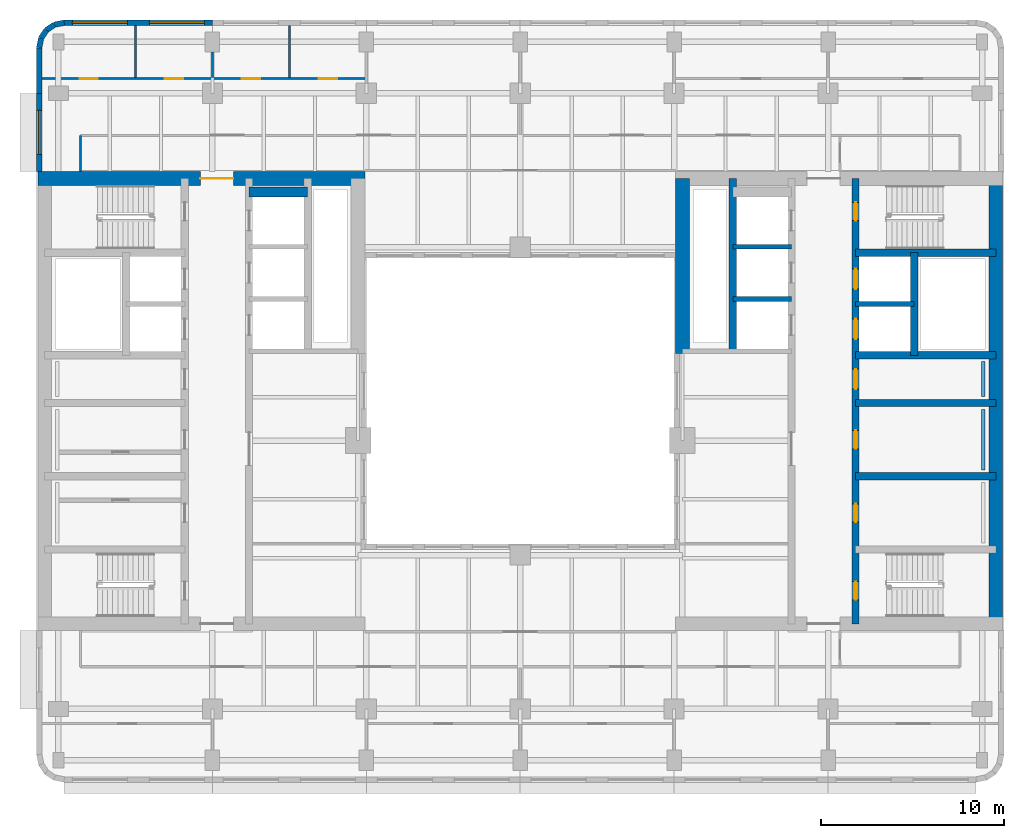
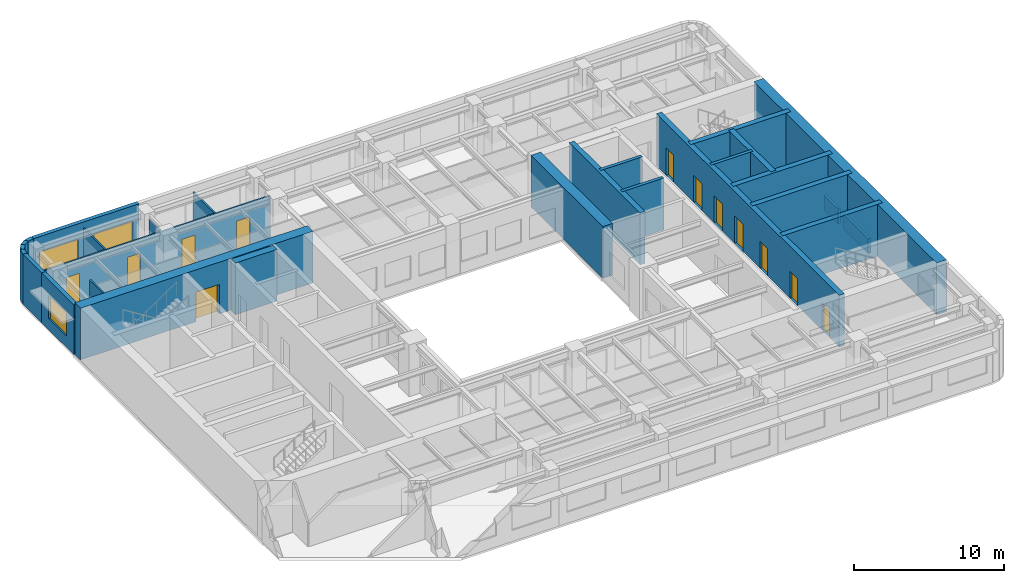
# One storey, part 6 of 11: 28 walls, 12 doors, 3 windows, 15 openings.
"""IFC4 building model written with IfcOpenShell, lengths in metres."""

from ifc_helpers import new_model, si_unit, direction, frame, frame_2d, origin, place, context, subcontext, project, spatial, rectangle, extrude, material, layer, layer_set, type_object, element, fill, save


model = new_model("IFC4")

# Units and contexts
model_context = context("Model", 3, precision=1e-05, world=origin(), true_north=direction((0.0, 1.0)))
body_context = subcontext(model_context, "Body", "Model", "MODEL_VIEW")
ifc_project = project(units=[si_unit("LENGTHUNIT", "METRE"), si_unit("AREAUNIT", "SQUARE_METRE"), si_unit("VOLUMEUNIT", "CUBIC_METRE"), si_unit("PLANEANGLEUNIT", "RADIAN"), si_unit("MASSUNIT", "GRAM", prefix="KILO")], contexts=[model_context])

# Site, building, storey
site_placement = place(None, origin())
site = spatial("IfcSite", under=ifc_project, at=site_placement, CompositionType="ELEMENT")
building_placement = place(site_placement, origin())
building = spatial("IfcBuilding", under=site, at=building_placement, Name="Claustro Exchange Tower", CompositionType="ELEMENT")
storey_placement = place(building_placement, frame((0.0, 0.0, 190.199951171875)))
storey = spatial("IfcBuildingStorey", under=building, at=storey_placement, Name="L43", CompositionType="ELEMENT", Elevation=190.199951171875)

# Wall, openings, doors
ifc_material_1 = material(Name="Laminated glass in aluminium frame", Category="aluminium")
ifc_layer_1 = layer(ifc_material_1, 0.1201171875)
ifc_layer_set_1 = layer_set([ifc_layer_1], Name="Laminated glass in aluminium frame")
wall_type_1 = type_object("IfcWallType", Name="P2 120 glazed partition", PredefinedType="PARTITIONING", material=ifc_layer_set_1)
wall_1_placement = place(storey_placement, frame((-0.902099609375, 42.800048828125, 0.0), z_axis=(0.0, 0.0, 1.0), x_axis=(1.0, 0.0, 0.0)))
wall_1 = element("IfcWall", 1, at=wall_1_placement, inside=storey, type_object=wall_type_1, Name="Partition P2 L43", PredefinedType="PARTITIONING", context=body_context, shape_type="SweptSolid", body=[
    extrude(rectangle(XDim=17.7021484375, YDim=0.1201171875, at=frame_2d((8.85107421875, 0.0))), origin(), (0.0, 0.0, 1.0), 3.56005859375),
])
opening_1_placement = place(wall_1_placement, frame((2.052001953125, 0.0, 0.0)))
opening_1 = element("IfcOpeningElement", 2, at=opening_1_placement, cuts=wall_1, Name="Opening D7", PredefinedType="OPENING", context=body_context, shape_type="SweptSolid", body=[
    extrude(rectangle(XDim=1.0, YDim=2.39990234375, at=frame_2d((0.5, 1.199951171875))), frame((0.0, 0.070068359375, 0.0), z_axis=(0.0, -1.0, 0.0), x_axis=(1.0, 0.0, 0.0)), (0.0, 0.0, 1.0), 0.14013671875),
])
opening_2_placement = place(wall_1_placement, frame((6.701904296875, 0.0, 0.0)))
opening_2 = element("IfcOpeningElement", 3, at=opening_2_placement, cuts=wall_1, Name="Opening D7", PredefinedType="OPENING", context=body_context, shape_type="SweptSolid", body=[
    extrude(rectangle(XDim=1.0, YDim=2.39990234375, at=frame_2d((0.5, 1.199951171875))), frame((0.0, 0.070068359375, 0.0), z_axis=(0.0, -1.0, 0.0), x_axis=(1.0, 0.0, 0.0)), (0.0, 0.0, 1.0), 0.14013671875),
])
opening_3_placement = place(wall_1_placement, frame((10.902099609375, 0.0, 0.0)))
opening_3 = element("IfcOpeningElement", 4, at=opening_3_placement, cuts=wall_1, Name="Opening D7", PredefinedType="OPENING", context=body_context, shape_type="SweptSolid", body=[
    extrude(rectangle(XDim=1.0, YDim=2.39990234375, at=frame_2d((0.5, 1.199951171875))), frame((0.0, 0.070068359375, 0.0), z_axis=(0.0, -1.0, 0.0), x_axis=(1.0, 0.0, 0.0)), (0.0, 0.0, 1.0), 0.14013671875),
])
opening_4_placement = place(wall_1_placement, frame((15.10205078125, 0.0, 0.0)))
opening_4 = element("IfcOpeningElement", 5, at=opening_4_placement, cuts=wall_1, Name="Opening D7", PredefinedType="OPENING", context=body_context, shape_type="SweptSolid", body=[
    extrude(rectangle(XDim=1.0, YDim=2.39990234375, at=frame_2d((0.5, 1.199951171875))), frame((0.0, 0.070068359375, 0.0), z_axis=(0.0, -1.0, 0.0), x_axis=(1.0, 0.0, 0.0)), (0.0, 0.0, 1.0), 0.14013671875),
])
ifc_material_2 = material(Name="Glass door in aluminium frame", Category="aluminium")
door_type_1 = type_object("IfcDoorType", Name="D7 1000 x 2400 glazed door", OperationType="SINGLE_SWING_LEFT", PredefinedType="DOOR", material=ifc_material_2)
door_1_placement = place(opening_1_placement, origin())
door_1 = element("IfcDoor", 6, at=door_1_placement, inside=storey, type_object=door_type_1, Name="Door D7 L43", OperationType="SINGLE_SWING_RIGHT", OverallHeight=2.39990234375, OverallWidth=1.0, PredefinedType="DOOR", context=body_context, shape_type="SweptSolid", body=[
    extrude(rectangle(XDim=1.0, YDim=2.39990234375, at=frame_2d((0.5, 1.199951171875))), frame((0.0, 0.02490234375, 0.0), z_axis=(0.0, -1.0, 0.0), x_axis=(1.0, 0.0, 0.0)), (0.0, 0.0, 1.0), 0.050048828125),
])
fill(opening_1, door_1)
door_2_placement = place(opening_2_placement, origin())
door_2 = element("IfcDoor", 7, at=door_2_placement, inside=storey, type_object=door_type_1, Name="Door D7 L43", OperationType="SINGLE_SWING_LEFT", OverallHeight=2.39990234375, OverallWidth=1.0, PredefinedType="DOOR", context=body_context, shape_type="SweptSolid", body=[
    extrude(rectangle(XDim=1.0, YDim=2.39990234375, at=frame_2d((0.5, 1.199951171875))), frame((0.0, 0.02490234375, 0.0), z_axis=(0.0, -1.0, 0.0), x_axis=(1.0, 0.0, 0.0)), (0.0, 0.0, 1.0), 0.050048828125),
])
fill(opening_2, door_2)
door_3_placement = place(opening_3_placement, origin())
door_3 = element("IfcDoor", 8, at=door_3_placement, inside=storey, type_object=door_type_1, Name="Door D7 L43", OperationType="SINGLE_SWING_LEFT", OverallHeight=2.39990234375, OverallWidth=1.0, PredefinedType="DOOR", context=body_context, shape_type="SweptSolid", body=[
    extrude(rectangle(XDim=1.0, YDim=2.39990234375, at=frame_2d((0.5, 1.199951171875))), frame((0.0, 0.02490234375, 0.0), z_axis=(0.0, -1.0, 0.0), x_axis=(1.0, 0.0, 0.0)), (0.0, 0.0, 1.0), 0.050048828125),
])
fill(opening_3, door_3)
door_4_placement = place(opening_4_placement, origin())
door_4 = element("IfcDoor", 9, at=door_4_placement, inside=storey, type_object=door_type_1, Name="Door D7 L43", OperationType="SINGLE_SWING_LEFT", OverallHeight=2.39990234375, OverallWidth=1.0, PredefinedType="DOOR", context=body_context, shape_type="SweptSolid", body=[
    extrude(rectangle(XDim=1.0, YDim=2.39990234375, at=frame_2d((0.5, 1.199951171875))), frame((0.0, 0.02490234375, 0.0), z_axis=(0.0, -1.0, 0.0), x_axis=(1.0, 0.0, 0.0)), (0.0, 0.0, 1.0), 0.050048828125),
])
fill(opening_4, door_4)

# Walls
wall_2_placement = place(storey_placement, frame((4.199951171875, 42.85791015625, 0.0), z_axis=(0.0, 0.0, 1.0), x_axis=(0.0, 1.0, 0.0)))
element("IfcWall", 10, at=wall_2_placement, inside=storey, type_object=wall_type_1, Name="Partition P2 L43", PredefinedType="PARTITIONING", context=body_context, shape_type="SweptSolid", body=[
    extrude(rectangle(XDim=2.843994140625, YDim=0.1201171875, at=frame_2d((1.421875, 0.0))), origin(), (0.0, 0.0, 1.0), 3.56005859375),
])
wall_3_placement = place(storey_placement, frame((8.39990234375, 42.85791015625, 0.0), z_axis=(0.0, 0.0, 1.0), x_axis=(0.0, 1.0, 0.0)))
element("IfcWall", 11, at=wall_3_placement, inside=storey, type_object=wall_type_1, Name="Partition P2 L43", PredefinedType="PARTITIONING", context=body_context, shape_type="SweptSolid", body=[
    extrude(rectangle(XDim=1.39306640625, YDim=0.1201171875, at=frame_2d((0.696533203125, 0.0))), origin(), (0.0, 0.0, 1.0), 3.68994140625),
])
wall_4_placement = place(storey_placement, frame((12.60009765625, 42.85791015625, 0.0), z_axis=(0.0, 0.0, 1.0), x_axis=(0.0, 1.0, 0.0)))
element("IfcWall", 12, at=wall_4_placement, inside=storey, type_object=wall_type_1, Name="Partition P2 L43", PredefinedType="PARTITIONING", context=body_context, shape_type="SweptSolid", body=[
    extrude(rectangle(XDim=2.843994140625, YDim=0.1201171875, at=frame_2d((1.421875, 0.0))), origin(), (0.0, 0.0, 1.0), 3.56005859375),
])
wall_5_placement = place(storey_placement, frame((1.199951171875, 37.72412109375, 0.0), z_axis=(0.0, 0.0, 1.0), x_axis=(0.0, 1.0, 0.0)))
element("IfcWall", 13, at=wall_5_placement, inside=storey, type_object=wall_type_1, Name="Partition P2 L43", PredefinedType="PARTITIONING", context=body_context, shape_type="SweptSolid", body=[
    extrude(rectangle(XDim=1.975830078125, YDim=0.1201171875, at=frame_2d((0.98779296875, 0.0))), origin(), (0.0, 0.0, 1.0), 4.050048828125),
])

# Wall, opening, window
ifc_material_3 = material(Name="Concrete HA-40 (C40/50), precast, white cement, acid-etched", Category="concrete")
ifc_layer_2 = layer(ifc_material_3, 0.300048828125)
ifc_layer_set_2 = layer_set([ifc_layer_2], Name="Concrete HA-40 (C40/50), precast, white cement, acid-etched")
wall_type_2 = type_object("IfcWallType", Name="PC1 300 precast concrete pier panel", PredefinedType="SOLIDWALL", material=ifc_layer_set_2)
wall_6_placement = place(storey_placement, frame((-1.050048828125, 37.72509765625, 0.0), z_axis=(0.0, 0.0, 1.0), x_axis=(0.0, 1.0, 0.0)))
wall_6 = element("IfcWall", 14, at=wall_6_placement, inside=storey, type_object=wall_type_2, Name="Precast pier panel PC1 L43", PredefinedType="SOLIDWALL", context=body_context, shape_type="SweptSolid", body=[
    extrude(rectangle(XDim=4.27490234375, YDim=0.300048828125, at=frame_2d((2.137451171875, 0.0))), origin(), (0.0, 0.0, 1.0), 4.050048828125),
])
opening_5_placement = place(wall_6_placement, frame((0.9375, 0.0, 0.89990234375)))
opening_5 = element("IfcOpeningElement", 15, at=opening_5_placement, cuts=wall_6, Name="Opening W2", PredefinedType="OPENING", context=body_context, shape_type="SweptSolid", body=[
    extrude(rectangle(XDim=2.39990234375, YDim=1.89990234375, at=frame_2d((1.199951171875, 0.949951171875))), frame((0.0, 0.159912109375, 0.0), z_axis=(0.0, -1.0, 0.0), x_axis=(1.0, 0.0, 0.0)), (0.0, 0.0, 1.0), 0.320068359375),
])
ifc_material_4 = material(Name="Aluminium frame, clear double glazing", Category="aluminium")
window_type_1 = type_object("IfcWindowType", Name="W2 2400 x 1900 window", PartitioningType="SINGLE_PANEL", PredefinedType="WINDOW", material=ifc_material_4)
window_1_placement = place(opening_5_placement, origin())
window_1 = element("IfcWindow", 16, at=window_1_placement, inside=storey, type_object=window_type_1, Name="Window W2 L43", OverallHeight=1.89990234375, OverallWidth=2.39990234375, PartitioningType="SINGLE_PANEL", PredefinedType="WINDOW", context=body_context, shape_type="SweptSolid", body=[
    extrude(rectangle(XDim=2.39990234375, YDim=1.89990234375, at=frame_2d((1.199951171875, 0.949951171875))), frame((0.0, 0.030029296875, 0.0), z_axis=(0.0, -1.0, 0.0), x_axis=(1.0, 0.0, 0.0)), (0.0, 0.0, 1.0), 0.06005859375),
])
fill(opening_5, window_1)

# Walls
wall_7_placement = place(storey_placement, frame((-1.050048828125, 42.0, 0.0), z_axis=(0.0, 0.0, 1.0), x_axis=(0.0, 1.0, 0.0)))
element("IfcWall", 17, at=wall_7_placement, inside=storey, type_object=wall_type_2, Name="Precast pier panel PC1 L43", PredefinedType="SOLIDWALL", context=body_context, shape_type="SweptSolid", body=[
    extrude(rectangle(XDim=2.485107421875, YDim=0.300048828125, at=frame_2d((1.24267578125, 0.0))), origin(), (0.0, 0.0, 1.0), 4.050048828125),
])
wall_8_placement = place(storey_placement, frame((-1.050048828125, 44.485107421875, 0.0), z_axis=(0.0, 0.0, 1.0), x_axis=(0.195073962632, 0.980788534345, 0.0)))
element("IfcWall", 18, at=wall_8_placement, inside=storey, type_object=wall_type_2, Name="Precast pier panel PC1 L43", PredefinedType="SOLIDWALL", context=body_context, shape_type="SweptSolid", body=[
    extrude(rectangle(XDim=0.540771484375, YDim=0.300048828125, at=frame_2d((0.2705078125, 0.0))), origin(), (0.0, 0.0, 1.0), 4.050048828125),
])
wall_9_placement = place(storey_placement, frame((-0.944580078125, 45.015380859375, 0.0), z_axis=(0.0, 0.0, 1.0), x_axis=(0.55534295404, 0.831621430339, 0.0)))
element("IfcWall", 19, at=wall_9_placement, inside=storey, type_object=wall_type_2, Name="Precast pier panel PC1 L43", PredefinedType="SOLIDWALL", context=body_context, shape_type="SweptSolid", body=[
    extrude(rectangle(XDim=0.52587890625, YDim=0.300048828125, at=frame_2d((0.262939453125, 0.0))), origin(), (0.0, 0.0, 1.0), 4.050048828125),
])
wall_10_placement = place(storey_placement, frame((-0.652587890625, 45.45263671875, 0.0), z_axis=(0.0, 0.0, 1.0), x_axis=(0.831692711774, 0.555236195849, 0.0)))
element("IfcWall", 20, at=wall_10_placement, inside=storey, type_object=wall_type_2, Name="Precast pier panel PC1 L43", PredefinedType="SOLIDWALL", context=body_context, shape_type="SweptSolid", body=[
    extrude(rectangle(XDim=0.525390625, YDim=0.300048828125, at=frame_2d((0.2626953125, 0.0))), origin(), (0.0, 0.0, 1.0), 4.050048828125),
])
wall_11_placement = place(storey_placement, frame((-0.215576171875, 45.744384765625, 0.0), z_axis=(0.0, 0.0, 1.0), x_axis=(0.980702050465, 0.1955082817, 0.0)))
element("IfcWall", 21, at=wall_11_placement, inside=storey, type_object=wall_type_2, Name="Precast pier panel PC1 L43", PredefinedType="SOLIDWALL", context=body_context, shape_type="SweptSolid", body=[
    extrude(rectangle(XDim=0.540771484375, YDim=0.300048828125, at=frame_2d((0.2705078125, 0.0))), origin(), (0.0, 0.0, 1.0), 4.050048828125),
])

# Wall, openings, windows
wall_12_placement = place(storey_placement, frame((0.314697265625, 45.85009765625, 0.0), z_axis=(0.0, 0.0, 1.0), x_axis=(1.0, 0.0, 0.0)))
wall_12 = element("IfcWall", 22, at=wall_12_placement, inside=storey, type_object=wall_type_2, Name="Precast pier panel PC1 L43", PredefinedType="SOLIDWALL", context=body_context, shape_type="SweptSolid", body=[
    extrude(rectangle(XDim=8.085205078125, YDim=0.300048828125, at=frame_2d((4.04248046875, 0.0))), origin(), (0.0, 0.0, 1.0), 4.050048828125),
])
opening_6_placement = place(wall_12_placement, frame((0.442626953125, 0.0, 0.89990234375)))
opening_6 = element("IfcOpeningElement", 23, at=opening_6_placement, cuts=wall_12, Name="Opening W1", PredefinedType="OPENING", context=body_context, shape_type="SweptSolid", body=[
    extrude(rectangle(XDim=3.0, YDim=1.89990234375, at=frame_2d((1.5, 0.949951171875))), frame((0.0, 0.159912109375, 0.0), z_axis=(0.0, -1.0, 0.0), x_axis=(1.0, 0.0, 0.0)), (0.0, 0.0, 1.0), 0.320068359375),
])
opening_7_placement = place(wall_12_placement, frame((4.642578125, 0.0, 0.89990234375)))
opening_7 = element("IfcOpeningElement", 24, at=opening_7_placement, cuts=wall_12, Name="Opening W1", PredefinedType="OPENING", context=body_context, shape_type="SweptSolid", body=[
    extrude(rectangle(XDim=3.0, YDim=1.89990234375, at=frame_2d((1.5, 0.949951171875))), frame((0.0, 0.159912109375, 0.0), z_axis=(0.0, -1.0, 0.0), x_axis=(1.0, 0.0, 0.0)), (0.0, 0.0, 1.0), 0.320068359375),
])
ifc_material_5 = material(Name="Aluminium frame, clear double glazing", Category="aluminium")
window_type_2 = type_object("IfcWindowType", Name="W1 3000 x 1900 window", PartitioningType="SINGLE_PANEL", PredefinedType="WINDOW", material=ifc_material_5)
window_2_placement = place(opening_6_placement, origin())
window_2 = element("IfcWindow", 25, at=window_2_placement, inside=storey, type_object=window_type_2, Name="Window W1 L43", OverallHeight=1.89990234375, OverallWidth=3.0, PartitioningType="SINGLE_PANEL", PredefinedType="WINDOW", context=body_context, shape_type="SweptSolid", body=[
    extrude(rectangle(XDim=3.0, YDim=1.89990234375, at=frame_2d((1.5, 0.949951171875))), frame((0.0, 0.030029296875, 0.0), z_axis=(0.0, -1.0, 0.0), x_axis=(1.0, 0.0, 0.0)), (0.0, 0.0, 1.0), 0.06005859375),
])
fill(opening_6, window_2)
window_3_placement = place(opening_7_placement, origin())
window_3 = element("IfcWindow", 26, at=window_3_placement, inside=storey, type_object=window_type_2, Name="Window W1 L43", OverallHeight=1.89990234375, OverallWidth=3.0, PartitioningType="SINGLE_PANEL", PredefinedType="WINDOW", context=body_context, shape_type="SweptSolid", body=[
    extrude(rectangle(XDim=3.0, YDim=1.89990234375, at=frame_2d((1.5, 0.949951171875))), frame((0.0, 0.030029296875, 0.0), z_axis=(0.0, -1.0, 0.0), x_axis=(1.0, 0.0, 0.0)), (0.0, 0.0, 1.0), 0.06005859375),
])
fill(opening_7, window_3)

# Walls
ifc_material_6 = material(Name="Gypsum board on steel studs, tiled", Category="steel")
ifc_layer_3 = layer(ifc_material_6, 0.199951171875)
ifc_layer_set_3 = layer_set([ifc_layer_3], Name="Gypsum board on steel studs, tiled")
wall_type_3 = type_object("IfcWallType", Name="PW1 200 WC duct wall", PredefinedType="PLUMBINGWALL", material=ifc_layer_set_3)
wall_13_placement = place(storey_placement, frame((50.47509765625, 21.449951171875, 0.0), z_axis=(0.0, 0.0, 1.0), x_axis=(0.0, 1.0, 0.0)))
element("IfcWall", 27, at=wall_13_placement, inside=storey, type_object=wall_type_3, Name="WC duct wall PW1 L43", PredefinedType="PLUMBINGWALL", context=body_context, shape_type="SweptSolid", body=[
    extrude(rectangle(XDim=3.300048828125, YDim=0.199951171875, at=frame_2d((1.64990234375, 0.0))), origin(), (0.0, 0.0, 1.0), 1.199951171875),
])
wall_14_placement = place(storey_placement, frame((50.47509765625, 25.449951171875, 0.0), z_axis=(0.0, 0.0, 1.0), x_axis=(0.0, 1.0, 0.0)))
element("IfcWall", 28, at=wall_14_placement, inside=storey, type_object=wall_type_3, Name="WC duct wall PW1 L43", PredefinedType="PLUMBINGWALL", context=body_context, shape_type="SweptSolid", body=[
    extrude(rectangle(XDim=1.900146484375, YDim=0.199951171875, at=frame_2d((0.9501953125, 0.0))), origin(), (0.0, 0.0, 1.0), 1.199951171875),
])

# Wall, opening, door
ifc_material_7 = material(Name="Concrete HA-70 (C70/85)", Category="concrete")
ifc_layer_4 = layer(ifc_material_7, 0.75)
ifc_layer_set_4 = layer_set([ifc_layer_4], Name="Concrete HA-70 (C70/85)")
wall_type_4 = type_object("IfcWallType", Name="SW2 750 core shear wall", PredefinedType="SHEAR", material=ifc_layer_set_4)
wall_15_placement = place(storey_placement, frame((-1.125, 37.35009765625, 0.0), z_axis=(0.0, 0.0, 1.0), x_axis=(1.0, 0.0, 0.0)))
wall_15 = element("IfcWall", 29, at=wall_15_placement, inside=storey, type_object=wall_type_4, Name="Core wall SW2 W core N face L43", PredefinedType="SHEAR", context=body_context, shape_type="SweptSolid", body=[
    extrude(rectangle(XDim=17.85009765625, YDim=0.75, at=frame_2d((8.925048828125, 0.0))), origin(), (0.0, 0.0, 1.0), 4.199951171875),
])
opening_8_placement = place(wall_15_placement, frame((8.875, 0.0, 0.0)))
opening_8 = element("IfcOpeningElement", 30, at=opening_8_placement, cuts=wall_15, Name="Opening D3", PredefinedType="OPENING", context=body_context, shape_type="SweptSolid", body=[
    extrude(rectangle(XDim=1.800048828125, YDim=2.39990234375, at=frame_2d((0.89990234375, 1.199951171875))), frame((0.0, 0.385009765625, 0.0), z_axis=(0.0, -1.0, 0.0), x_axis=(1.0, 0.0, 0.0)), (0.0, 0.0, 1.0), 0.77001953125),
])
ifc_material_8 = material(Name="Steel fire door, painted", Category="steel")
door_type_2 = type_object("IfcDoorType", Name="D3 1800 x 2400 fire-rated lobby double door", OperationType="DOUBLE_DOOR_SINGLE_SWING", PredefinedType="DOOR", material=ifc_material_8)
door_5_placement = place(opening_8_placement, frame((1.800048828125, 0.0, 0.0), z_axis=(0.0, 0.0, 1.0), x_axis=(-1.0, 0.0, 0.0)))
door_5 = element("IfcDoor", 31, at=door_5_placement, inside=storey, type_object=door_type_2, Name="Lift lobby door D3 L43", OperationType="DOUBLE_DOOR_SINGLE_SWING", OverallHeight=2.39990234375, OverallWidth=1.800048828125, PredefinedType="DOOR", context=body_context, shape_type="SweptSolid", body=[
    extrude(rectangle(XDim=1.800048828125, YDim=2.39990234375, at=frame_2d((0.89990234375, 1.199951171875))), frame((0.0, 0.02490234375, 0.0), z_axis=(0.0, -1.0, 0.0), x_axis=(1.0, 0.0, 0.0)), (0.0, 0.0, 1.0), 0.050048828125),
])
fill(opening_8, door_5)

# Walls
ifc_material_9 = material(Name="Concrete HA-70 (C70/85)", Category="concrete")
ifc_layer_5 = layer(ifc_material_9, 0.75)
ifc_layer_set_5 = layer_set([ifc_layer_5], Name="Concrete HA-70 (C70/85)")
wall_type_5 = type_object("IfcWallType", Name="SW2X 750 exposed core shear wall, board-marked face", PredefinedType="SHEAR", material=ifc_layer_set_5)
wall_16_placement = place(storey_placement, frame((34.050048828125, 27.800048828125, 0.0), z_axis=(0.0, 0.0, 1.0), x_axis=(0.0, 1.0, 0.0)))
element("IfcWall", 32, at=wall_16_placement, inside=storey, type_object=wall_type_5, Name="Core wall SW2X E core W face L43", PredefinedType="SHEAR", context=body_context, shape_type="SweptSolid", body=[
    extrude(rectangle(XDim=9.550048828125, YDim=0.75, at=frame_2d((4.77490234375, 0.0))), origin(), (0.0, 0.0, 1.0), 4.199951171875),
])
wall_17_placement = place(storey_placement, frame((51.14990234375, 13.050048828125, 0.0), z_axis=(0.0, 0.0, 1.0), x_axis=(0.0, 1.0, 0.0)))
element("IfcWall", 33, at=wall_17_placement, inside=storey, type_object=wall_type_5, Name="Core wall SW2X E core E face L43", PredefinedType="SHEAR", context=body_context, shape_type="SweptSolid", body=[
    extrude(rectangle(XDim=24.300048828125, YDim=0.75, at=frame_2d((12.14990234375, 0.0))), origin(), (0.0, 0.0, 1.0), 4.199951171875),
])

# Wall, openings, doors
ifc_material_10 = material(Name="Concrete HA-50 (C50/60)", Category="concrete")
ifc_layer_6 = layer(ifc_material_10, 0.39990234375)
ifc_layer_set_6 = layer_set([ifc_layer_6], Name="Concrete HA-50 (C50/60)")
wall_type_6 = type_object("IfcWallType", Name="SW4 400 internal core wall", PredefinedType="SHEAR", material=ifc_layer_set_6)
wall_18_placement = place(storey_placement, frame((43.5, 13.050048828125, 0.0), z_axis=(0.0, 0.0, 1.0), x_axis=(0.0, 1.0, 0.0)))
wall_18 = element("IfcWall", 34, at=wall_18_placement, inside=storey, type_object=wall_type_6, Name="Internal core wall SW4 E core L43", PredefinedType="SHEAR", context=body_context, shape_type="SweptSolid", body=[
    extrude(rectangle(XDim=24.300048828125, YDim=0.39990234375, at=frame_2d((12.14990234375, 0.0))), origin(), (0.0, 0.0, 1.0), 4.199951171875),
])
opening_9_placement = place(wall_18_placement, frame((1.300048828125, 0.0, 0.0)))
opening_9 = element("IfcOpeningElement", 35, at=opening_9_placement, cuts=wall_18, Name="Opening D4", PredefinedType="OPENING", context=body_context, shape_type="SweptSolid", body=[
    extrude(rectangle(XDim=1.0, YDim=2.199951171875, at=frame_2d((0.5, 1.10009765625))), frame((0.0, 0.2099609375, 0.0), z_axis=(0.0, -1.0, 0.0), x_axis=(1.0, 0.0, 0.0)), (0.0, 0.0, 1.0), 0.419921875),
])
opening_10_placement = place(wall_18_placement, frame((22.0, 0.0, 0.0)))
opening_10 = element("IfcOpeningElement", 36, at=opening_10_placement, cuts=wall_18, Name="Opening D4", PredefinedType="OPENING", context=body_context, shape_type="SweptSolid", body=[
    extrude(rectangle(XDim=1.0, YDim=2.199951171875, at=frame_2d((0.5, 1.10009765625))), frame((0.0, 0.2099609375, 0.0), z_axis=(0.0, -1.0, 0.0), x_axis=(1.0, 0.0, 0.0)), (0.0, 0.0, 1.0), 0.419921875),
])
opening_11_placement = place(wall_18_placement, frame((5.550048828125, 0.0, 0.0)))
opening_11 = element("IfcOpeningElement", 37, at=opening_11_placement, cuts=wall_18, Name="Opening D1", PredefinedType="OPENING", context=body_context, shape_type="SweptSolid", body=[
    extrude(rectangle(XDim=1.0, YDim=2.199951171875, at=frame_2d((0.5, 1.10009765625))), frame((0.0, 0.2099609375, 0.0), z_axis=(0.0, -1.0, 0.0), x_axis=(1.0, 0.0, 0.0)), (0.0, 0.0, 1.0), 0.419921875),
])
opening_12_placement = place(wall_18_placement, frame((9.550048828125, 0.0, 0.0)))
opening_12 = element("IfcOpeningElement", 38, at=opening_12_placement, cuts=wall_18, Name="Opening D1", PredefinedType="OPENING", context=body_context, shape_type="SweptSolid", body=[
    extrude(rectangle(XDim=1.0, YDim=2.199951171875, at=frame_2d((0.5, 1.10009765625))), frame((0.0, 0.2099609375, 0.0), z_axis=(0.0, -1.0, 0.0), x_axis=(1.0, 0.0, 0.0)), (0.0, 0.0, 1.0), 0.419921875),
])
opening_13_placement = place(wall_18_placement, frame((12.800048828125, 0.0, 0.0)))
opening_13 = element("IfcOpeningElement", 39, at=opening_13_placement, cuts=wall_18, Name="Opening D10", PredefinedType="OPENING", context=body_context, shape_type="SweptSolid", body=[
    extrude(rectangle(XDim=1.10009765625, YDim=2.199951171875, at=frame_2d((0.550048828125, 1.10009765625))), frame((0.0, 0.2099609375, 0.0), z_axis=(0.0, -1.0, 0.0), x_axis=(1.0, 0.0, 0.0)), (0.0, 0.0, 1.0), 0.419921875),
])
opening_14_placement = place(wall_18_placement, frame((15.53759765625, 0.0, 0.0)))
opening_14 = element("IfcOpeningElement", 40, at=opening_14_placement, cuts=wall_18, Name="Opening LD", PredefinedType="OPENING", context=body_context, shape_type="SweptSolid", body=[
    extrude(rectangle(XDim=1.10009765625, YDim=2.199951171875, at=frame_2d((0.550048828125, 1.10009765625))), frame((0.0, 0.2099609375, 0.0), z_axis=(0.0, -1.0, 0.0), x_axis=(1.0, 0.0, 0.0)), (0.0, 0.0, 1.0), 0.419921875),
])
opening_15_placement = place(wall_18_placement, frame((18.262451171875, 0.0, 0.0)))
opening_15 = element("IfcOpeningElement", 41, at=opening_15_placement, cuts=wall_18, Name="Opening LD", PredefinedType="OPENING", context=body_context, shape_type="SweptSolid", body=[
    extrude(rectangle(XDim=1.10009765625, YDim=2.199951171875, at=frame_2d((0.550048828125, 1.10009765625))), frame((0.0, 0.2099609375, 0.0), z_axis=(0.0, -1.0, 0.0), x_axis=(1.0, 0.0, 0.0)), (0.0, 0.0, 1.0), 0.419921875),
])
ifc_material_11 = material(Name="Timber door, oak veneer", Category="wood")
door_type_3 = type_object("IfcDoorType", Name="D1 1000 x 2200 single door", OperationType="SINGLE_SWING_LEFT", PredefinedType="DOOR", material=ifc_material_11)
door_6_placement = place(opening_11_placement, frame((1.0, 0.0, 0.0), z_axis=(0.0, 0.0, 1.0), x_axis=(-1.0, 0.0, 0.0)))
door_6 = element("IfcDoor", 42, at=door_6_placement, inside=storey, type_object=door_type_3, Name="Door D1 L43", OperationType="SINGLE_SWING_LEFT", OverallHeight=2.199951171875, OverallWidth=1.0, PredefinedType="DOOR", context=body_context, shape_type="SweptSolid", body=[
    extrude(rectangle(XDim=1.0, YDim=2.199951171875, at=frame_2d((0.5, 1.10009765625))), frame((0.0, 0.02490234375, 0.0), z_axis=(0.0, -1.0, 0.0), x_axis=(1.0, 0.0, 0.0)), (0.0, 0.0, 1.0), 0.050048828125),
])
fill(opening_11, door_6)
door_7_placement = place(opening_12_placement, frame((1.0, 0.0, 0.0), z_axis=(0.0, 0.0, 1.0), x_axis=(-1.0, 0.0, 0.0)))
door_7 = element("IfcDoor", 43, at=door_7_placement, inside=storey, type_object=door_type_3, Name="Door D1 L43", OperationType="SINGLE_SWING_LEFT", OverallHeight=2.199951171875, OverallWidth=1.0, PredefinedType="DOOR", context=body_context, shape_type="SweptSolid", body=[
    extrude(rectangle(XDim=1.0, YDim=2.199951171875, at=frame_2d((0.5, 1.10009765625))), frame((0.0, 0.02490234375, 0.0), z_axis=(0.0, -1.0, 0.0), x_axis=(1.0, 0.0, 0.0)), (0.0, 0.0, 1.0), 0.050048828125),
])
fill(opening_12, door_7)
ifc_material_12 = material(Name="Timber door, oak veneer", Category="wood")
door_type_4 = type_object("IfcDoorType", Name="D10 1100 x 2200 accessible WC door", OperationType="SINGLE_SWING_LEFT", PredefinedType="DOOR", material=ifc_material_12)
door_8_placement = place(opening_13_placement, origin())
door_8 = element("IfcDoor", 44, at=door_8_placement, inside=storey, type_object=door_type_4, Name="Accessible WC door D10 L43", OperationType="SINGLE_SWING_RIGHT", OverallHeight=2.199951171875, OverallWidth=1.10009765625, PredefinedType="DOOR", context=body_context, shape_type="SweptSolid", body=[
    extrude(rectangle(XDim=1.10009765625, YDim=2.199951171875, at=frame_2d((0.550048828125, 1.10009765625))), frame((0.0, 0.02490234375, 0.0), z_axis=(0.0, -1.0, 0.0), x_axis=(1.0, 0.0, 0.0)), (0.0, 0.0, 1.0), 0.050048828125),
])
fill(opening_13, door_8)
ifc_material_13 = material(Name="Steel fire door, painted", Category="steel")
door_type_5 = type_object("IfcDoorType", Name="D4 1000 x 2200 fire-rated stair door", OperationType="SINGLE_SWING_LEFT", PredefinedType="DOOR", material=ifc_material_13)
door_9_placement = place(opening_9_placement, frame((1.0, 0.0, 0.0), z_axis=(0.0, 0.0, 1.0), x_axis=(-1.0, 0.0, 0.0)))
door_9 = element("IfcDoor", 45, at=door_9_placement, inside=storey, type_object=door_type_5, Name="Stair door D4 L43", OperationType="SINGLE_SWING_RIGHT", OverallHeight=2.199951171875, OverallWidth=1.0, PredefinedType="DOOR", context=body_context, shape_type="SweptSolid", body=[
    extrude(rectangle(XDim=1.0, YDim=2.199951171875, at=frame_2d((0.5, 1.10009765625))), frame((0.0, 0.02490234375, 0.0), z_axis=(0.0, -1.0, 0.0), x_axis=(1.0, 0.0, 0.0)), (0.0, 0.0, 1.0), 0.050048828125),
])
fill(opening_9, door_9)
door_10_placement = place(opening_10_placement, frame((1.0, 0.0, 0.0), z_axis=(0.0, 0.0, 1.0), x_axis=(-1.0, 0.0, 0.0)))
door_10 = element("IfcDoor", 46, at=door_10_placement, inside=storey, type_object=door_type_5, Name="Stair door D4 L43", OperationType="SINGLE_SWING_LEFT", OverallHeight=2.199951171875, OverallWidth=1.0, PredefinedType="DOOR", context=body_context, shape_type="SweptSolid", body=[
    extrude(rectangle(XDim=1.0, YDim=2.199951171875, at=frame_2d((0.5, 1.10009765625))), frame((0.0, 0.02490234375, 0.0), z_axis=(0.0, -1.0, 0.0), x_axis=(1.0, 0.0, 0.0)), (0.0, 0.0, 1.0), 0.050048828125),
])
fill(opening_10, door_10)
ifc_material_14 = material(Name="Stainless steel sliding door", Category="steel")
door_type_6 = type_object("IfcDoorType", Name="LD 1100 x 2200 lift landing door", OperationType="DOUBLE_DOOR_SLIDING", PredefinedType="DOOR", material=ifc_material_14)
door_11_placement = place(opening_14_placement, origin())
door_11 = element("IfcDoor", 47, at=door_11_placement, inside=storey, type_object=door_type_6, Name="Lift landing door LEE1 LD L43", OperationType="DOUBLE_DOOR_SLIDING", OverallHeight=2.199951171875, OverallWidth=1.10009765625, PredefinedType="DOOR", context=body_context, shape_type="SweptSolid", body=[
    extrude(rectangle(XDim=1.10009765625, YDim=2.199951171875, at=frame_2d((0.550048828125, 1.10009765625))), frame((0.0, 0.02490234375, 0.0), z_axis=(0.0, -1.0, 0.0), x_axis=(1.0, 0.0, 0.0)), (0.0, 0.0, 1.0), 0.050048828125),
])
fill(opening_14, door_11)
door_12_placement = place(opening_15_placement, origin())
door_12 = element("IfcDoor", 48, at=door_12_placement, inside=storey, type_object=door_type_6, Name="Lift landing door LEE2 LD L43", OperationType="DOUBLE_DOOR_SLIDING", OverallHeight=2.199951171875, OverallWidth=1.10009765625, PredefinedType="DOOR", context=body_context, shape_type="SweptSolid", body=[
    extrude(rectangle(XDim=1.10009765625, YDim=2.199951171875, at=frame_2d((0.550048828125, 1.10009765625))), frame((0.0, 0.02490234375, 0.0), z_axis=(0.0, -1.0, 0.0), x_axis=(1.0, 0.0, 0.0)), (0.0, 0.0, 1.0), 0.050048828125),
])
fill(opening_15, door_12)

# Walls
wall_19_placement = place(storey_placement, frame((36.800048828125, 27.925048828125, 0.0), z_axis=(0.0, 0.0, 1.0), x_axis=(0.0, 1.0, 0.0)))
element("IfcWall", 49, at=wall_19_placement, inside=storey, type_object=wall_type_6, Name="Internal core wall SW4 E core L43", PredefinedType="SHEAR", context=body_context, shape_type="SweptSolid", body=[
    extrude(rectangle(XDim=9.425048828125, YDim=0.39990234375, at=frame_2d((4.71240234375, 0.0))), origin(), (0.0, 0.0, 1.0), 4.199951171875),
])
for number, where, z_axis, x_axis, name in (
    (50, (51.14990234375, 21.10009765625, 0.0), (0.0, 0.0, 1.0), (-1.0, 0.0, 0.0), "Internal core wall SW4 E core L43"),
    (51, (51.14990234375, 25.10009765625, 0.0), (0.0, 0.0, 1.0), (-1.0, 0.0, 0.0), "Internal core wall SW4 E core L43"),
    (52, (51.14990234375, 27.699951171875, 0.0), (0.0, 0.0, 1.0), (-1.0, 0.0, 0.0), "Internal core wall SW4 E core L43"),
    (53, (51.14990234375, 33.300048828125, 0.0), (0.0, 0.0, 1.0), (-1.0, 0.0, 0.0), "Internal core wall SW4 E core L43"),
):
    element("IfcWall", number, at=place(storey_placement, frame(where, z_axis=z_axis, x_axis=x_axis)), inside=storey, type_object=wall_type_6, Name=name, PredefinedType="SHEAR", context=body_context, shape_type="SweptSolid", body=[
        extrude(rectangle(XDim=7.64990234375, YDim=0.39990234375, at=frame_2d((3.824951171875, 0.0))), origin(), (0.0, 0.0, 1.0), 4.199951171875),
    ])
wall_20_placement = place(storey_placement, frame((46.699951171875, 27.699951171875, 0.0), z_axis=(0.0, 0.0, 1.0), x_axis=(0.0, 1.0, 0.0)))
element("IfcWall", 54, at=wall_20_placement, inside=storey, type_object=wall_type_6, Name="Internal core wall SW4 E core L43", PredefinedType="SHEAR", context=body_context, shape_type="SweptSolid", body=[
    extrude(rectangle(XDim=5.60009765625, YDim=0.39990234375, at=frame_2d((2.800048828125, 0.0))), origin(), (0.0, 0.0, 1.0), 4.199951171875),
])
ifc_material_15 = material(Name="Concrete HA-50 (C50/60)", Category="concrete")
ifc_layer_7 = layer(ifc_material_15, 0.25)
ifc_layer_set_7 = layer_set([ifc_layer_7], Name="Concrete HA-50 (C50/60)")
wall_type_7 = type_object("IfcWallType", Name="SW5 250 lift shaft divider wall", PredefinedType="SHEAR", material=ifc_layer_set_7)
for number, where, z_axis, x_axis, name in (
    (55, (46.699951171875, 30.5, 0.0), (0.0, 0.0, 1.0), (-1.0, 0.0, 0.0), "Lift shaft wall E core L43"),
    (56, (40.0, 30.77490234375, 0.0), (0.0, 0.0, 1.0), (-1.0, 0.0, 0.0), "Lift shaft wall E core L43"),
    (57, (40.0, 33.625, 0.0), (0.0, 0.0, 1.0), (-1.0, 0.0, 0.0), "Lift shaft wall E core L43"),
):
    element("IfcWall", number, at=place(storey_placement, frame(where, z_axis=z_axis, x_axis=x_axis)), inside=storey, type_object=wall_type_7, Name=name, PredefinedType="SHEAR", context=body_context, shape_type="SweptSolid", body=[
        extrude(rectangle(XDim=3.199951171875, YDim=0.25, at=frame_2d((1.60009765625, 0.0))), origin(), (0.0, 0.0, 1.0), 4.199951171875),
    ])
ifc_material_16 = material(Name="Concrete HA-50 (C50/60)", Category="concrete")
ifc_layer_8 = layer(ifc_material_16, 0.550048828125)
ifc_layer_set_8 = layer_set([ifc_layer_8], Name="Concrete HA-50 (C50/60)")
wall_type_8 = type_object("IfcWallType", Name="SW6 550 lift shaft end wall", PredefinedType="SHEAR", material=ifc_layer_set_8)
wall_21_placement = place(storey_placement, frame((10.39990234375, 36.625, 0.0), z_axis=(0.0, 0.0, 1.0), x_axis=(1.0, 0.0, 0.0)))
element("IfcWall", 58, at=wall_21_placement, inside=storey, type_object=wall_type_8, Name="Lift shaft wall W core L43", PredefinedType="SHEAR", context=body_context, shape_type="SweptSolid", body=[
    extrude(rectangle(XDim=3.2001953125, YDim=0.550048828125, at=frame_2d((1.60009765625, 0.0))), origin(), (0.0, 0.0, 1.0), 4.199951171875),
])

save(model, "model.ifc")
